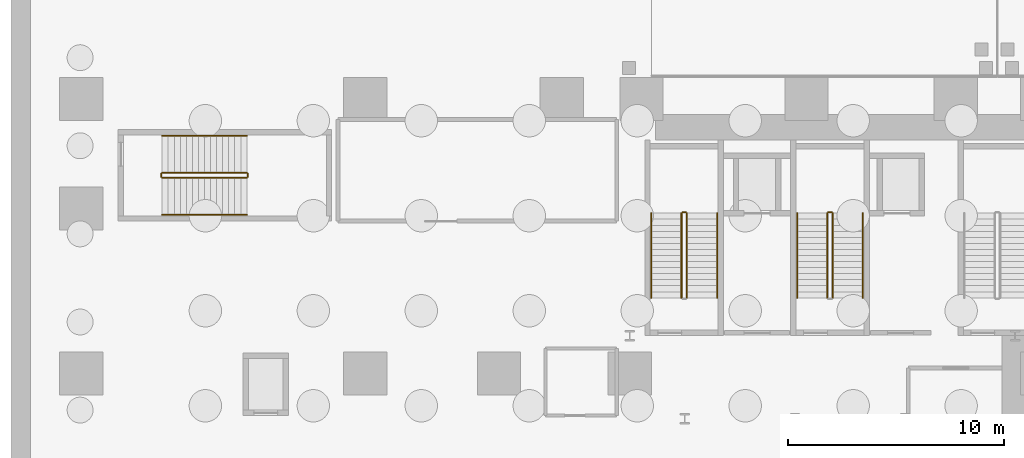
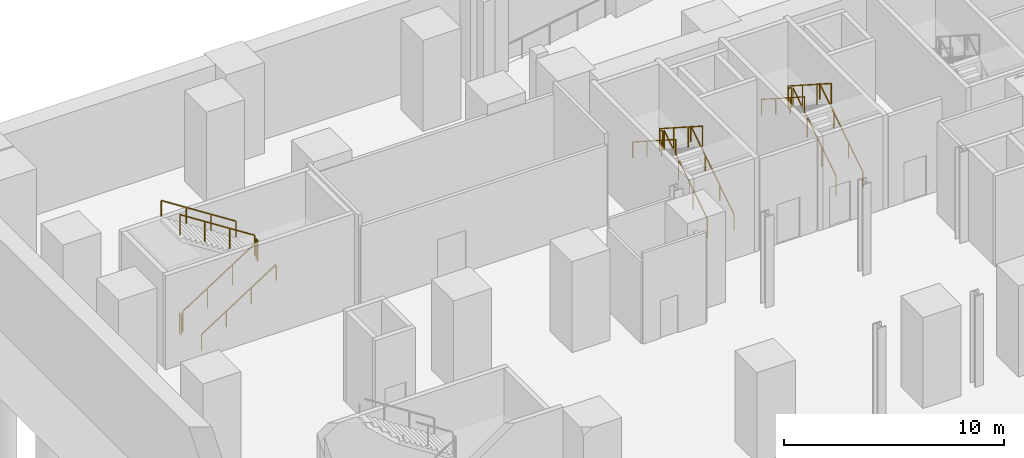
# One storey, part 10 of 14: 16 railings.
"""IFC4 building model written with IfcOpenShell, lengths in metres."""

from ifc_helpers import new_model, si_unit, direction, frame, origin, origin_2d, place, context, subcontext, project, spatial, rectangle, extrude, source, transform, mapped, material, type_object, element, save


model = new_model("IFC4")

# Units and contexts
model_context = context("Model", 3, precision=1e-05, world=origin(), true_north=direction((0.0, 1.0)))
body_context = subcontext(model_context, "Body", "Model", "MODEL_VIEW")
ifc_project = project(units=[si_unit("LENGTHUNIT", "METRE"), si_unit("AREAUNIT", "SQUARE_METRE"), si_unit("VOLUMEUNIT", "CUBIC_METRE"), si_unit("PLANEANGLEUNIT", "RADIAN"), si_unit("MASSUNIT", "GRAM", prefix="KILO")], contexts=[model_context])

# Site, building, storey
site_placement = place(None, origin())
site = spatial("IfcSite", under=ifc_project, at=site_placement, CompositionType="ELEMENT")
building_placement = place(site_placement, origin())
building = spatial("IfcBuilding", under=site, at=building_placement, Name="Vardaveli Station Tower", CompositionType="ELEMENT")
storey_placement = place(building_placement, frame((0.0, 0.0, -11.39990234375)))
storey = spatial("IfcBuildingStorey", under=building, at=storey_placement, Name="B02", CompositionType="ELEMENT", Elevation=-11.39990234375)

# Railings
ifc_material = material(Name="Brushed AISI 316 stainless steel", Category="steel")
railing_type_1 = type_object("IfcRailingType", Name="RL-GUARD-1150", PredefinedType="GUARDRAIL", material=ifc_material)
shared_shape_1 = source(origin(), body_context, "Body", "SweptSolid", [
    extrude(rectangle(XDim=0.048095703125, YDim=0.048095703125, at=origin_2d()), frame((0.0, 0.0, 1.1259765625), z_axis=(0.0, 0.841186985886, 0.540744352514), x_axis=(-1.0, 0.0, 0.0)), (0.0, 0.0, 1.0), 4.660400390625),
    extrude(rectangle(XDim=0.0419921875, YDim=0.0419921875, at=origin_2d()), origin(), (0.0, 0.0, 1.0), 1.101806640625),
    extrude(rectangle(XDim=0.0419921875, YDim=0.0419921875, at=origin_2d()), frame((0.0, 1.306640625, 0.840087890625)), (0.0, 0.0, 1.0), 1.101806640625),
    extrude(rectangle(XDim=0.0419921875, YDim=0.0419921875, at=origin_2d()), frame((0.0, 2.613525390625, 1.679931640625)), (0.0, 0.0, 1.0), 1.101806640625),
    extrude(rectangle(XDim=0.0419921875, YDim=0.0419921875, at=origin_2d()), frame((0.0, 3.920166015625, 2.52001953125)), (0.0, 0.0, 1.0), 1.101806640625),
])
for number, where, name in (
    (1, (31.300048828125, 32.39990234375, 0.179931640625), "B02 ST-1 stair guard 1"),
    (2, (38.050048828125, 32.39990234375, 0.179931640625), "B02 ST-2 stair guard 1"),
):
    element("IfcRailing", number, at=place(storey_placement, frame(where)), inside=storey, type_object=railing_type_1, Name=name, PredefinedType="GUARDRAIL", context=body_context, shape_type="MappedRepresentation", body=[
        mapped(shared_shape_1, transform((0.0, 0.0, 0.0), scale=1.0)),
    ])
shared_shape_2 = source(origin(), body_context, "Body", "SweptSolid", [
    extrude(rectangle(XDim=0.048095703125, YDim=0.048095703125, at=origin_2d()), frame((0.0, 0.0, 1.1259765625), z_axis=(-1.0, 0.0, 0.0), x_axis=(0.0, -1.0, 0.0)), (0.0, 0.0, 1.0), 0.14990234375),
    extrude(rectangle(XDim=0.0419921875, YDim=0.0419921875, at=origin_2d()), origin(), (0.0, 0.0, 1.0), 1.101806640625),
    extrude(rectangle(XDim=0.0419921875, YDim=0.0419921875, at=origin_2d()), frame((-0.14990234375, 0.0, 0.0)), (0.0, 0.0, 1.0), 1.101806640625),
])
for number, where, name in (
    (3, (31.25, 36.3701171875, 2.699951171875), "B02 ST-1 stair guard 2"),
    (4, (38.0, 36.3701171875, 2.699951171875), "B02 ST-2 stair guard 2"),
):
    element("IfcRailing", number, at=place(storey_placement, frame(where)), inside=storey, type_object=railing_type_1, Name=name, PredefinedType="GUARDRAIL", context=body_context, shape_type="MappedRepresentation", body=[
        mapped(shared_shape_2, transform((0.0, 0.0, 0.0), scale=1.0)),
    ])
shared_shape_3 = source(origin(), body_context, "Body", "SweptSolid", [
    extrude(rectangle(XDim=0.048095703125, YDim=0.048095703125, at=origin_2d()), frame((0.0, 0.0, 1.1259765625), z_axis=(0.0, -0.841186985886, 0.540744352514), x_axis=(1.0, 0.0, 0.0)), (0.0, 0.0, 1.0), 4.660400390625),
    extrude(rectangle(XDim=0.0419921875, YDim=0.0419921875, at=origin_2d()), origin(), (0.0, 0.0, 1.0), 1.101806640625),
    extrude(rectangle(XDim=0.0419921875, YDim=0.0419921875, at=origin_2d()), frame((0.0, -1.306640625, 0.840087890625)), (0.0, 0.0, 1.0), 1.101806640625),
    extrude(rectangle(XDim=0.0419921875, YDim=0.0419921875, at=origin_2d()), frame((0.0, -2.613525390625, 1.679931640625)), (0.0, 0.0, 1.0), 1.101806640625),
    extrude(rectangle(XDim=0.0419921875, YDim=0.0419921875, at=origin_2d()), frame((0.0, -3.920166015625, 2.52001953125)), (0.0, 0.0, 1.0), 1.101806640625),
])
for number, where, name in (
    (5, (31.050048828125, 36.320068359375, 2.8798828125), "B02 ST-1 stair guard 3"),
    (6, (37.800048828125, 36.320068359375, 2.8798828125), "B02 ST-2 stair guard 3"),
):
    element("IfcRailing", number, at=place(storey_placement, frame(where)), inside=storey, type_object=railing_type_1, Name=name, PredefinedType="GUARDRAIL", context=body_context, shape_type="MappedRepresentation", body=[
        mapped(shared_shape_3, transform((0.0, 0.0, 0.0), scale=1.0)),
    ])
railing_type_2 = type_object("IfcRailingType", Name="RL-HAND-900", PredefinedType="HANDRAIL", material=ifc_material)
shared_shape_4 = source(origin(), body_context, "Body", "SweptSolid", [
    extrude(rectangle(XDim=0.048095703125, YDim=0.048095703125, at=origin_2d()), frame((0.0, 0.0, 0.8759765625), z_axis=(0.0, 0.841186985886, 0.540744352514), x_axis=(-1.0, 0.0, 0.0)), (0.0, 0.0, 1.0), 4.660400390625),
    extrude(rectangle(XDim=0.0419921875, YDim=0.0419921875, at=origin_2d()), origin(), (0.0, 0.0, 1.0), 0.851806640625),
    extrude(rectangle(XDim=0.0419921875, YDim=0.0419921875, at=origin_2d()), frame((0.0, 1.306640625, 0.840087890625)), (0.0, 0.0, 1.0), 0.851806640625),
    extrude(rectangle(XDim=0.0419921875, YDim=0.0419921875, at=origin_2d()), frame((0.0, 2.613525390625, 1.679931640625)), (0.0, 0.0, 1.0), 0.851806640625),
    extrude(rectangle(XDim=0.0419921875, YDim=0.0419921875, at=origin_2d()), frame((0.0, 3.920166015625, 2.52001953125)), (0.0, 0.0, 1.0), 0.851806640625),
])
for number, where, name in (
    (7, (32.699951171875, 32.39990234375, 0.179931640625), "B02 ST-1 stair handrail 1"),
    (8, (39.449951171875, 32.39990234375, 0.179931640625), "B02 ST-2 stair handrail 1"),
):
    element("IfcRailing", number, at=place(storey_placement, frame(where)), inside=storey, type_object=railing_type_2, Name=name, PredefinedType="HANDRAIL", context=body_context, shape_type="MappedRepresentation", body=[
        mapped(shared_shape_4, transform((0.0, 0.0, 0.0), scale=1.0)),
    ])
shared_shape_5 = source(origin(), body_context, "Body", "SweptSolid", [
    extrude(rectangle(XDim=0.048095703125, YDim=0.048095703125, at=origin_2d()), frame((0.0, 0.0, 0.8759765625), z_axis=(0.0, -0.841186985886, 0.540744352514), x_axis=(1.0, 0.0, 0.0)), (0.0, 0.0, 1.0), 4.660400390625),
    extrude(rectangle(XDim=0.0419921875, YDim=0.0419921875, at=origin_2d()), origin(), (0.0, 0.0, 1.0), 0.851806640625),
    extrude(rectangle(XDim=0.0419921875, YDim=0.0419921875, at=origin_2d()), frame((0.0, -1.306640625, 0.840087890625)), (0.0, 0.0, 1.0), 0.851806640625),
    extrude(rectangle(XDim=0.0419921875, YDim=0.0419921875, at=origin_2d()), frame((0.0, -2.613525390625, 1.679931640625)), (0.0, 0.0, 1.0), 0.851806640625),
    extrude(rectangle(XDim=0.0419921875, YDim=0.0419921875, at=origin_2d()), frame((0.0, -3.920166015625, 2.52001953125)), (0.0, 0.0, 1.0), 0.851806640625),
])
for number, where, name in (
    (9, (29.64990234375, 36.320068359375, 2.8798828125), "B02 ST-1 stair handrail 2"),
    (10, (36.39990234375, 36.320068359375, 2.8798828125), "B02 ST-2 stair handrail 2"),
):
    element("IfcRailing", number, at=place(storey_placement, frame(where)), inside=storey, type_object=railing_type_2, Name=name, PredefinedType="HANDRAIL", context=body_context, shape_type="MappedRepresentation", body=[
        mapped(shared_shape_5, transform((0.0, 0.0, 0.0), scale=1.0)),
    ])
shared_shape_6 = source(origin(), body_context, "Body", "SweptSolid", [
    extrude(rectangle(XDim=0.048095703125, YDim=0.048095703125, at=origin_2d()), frame((0.0, 0.0, 1.1259765625), z_axis=(0.841171666519, 0.0, 0.540768182723), x_axis=(0.0, 1.0, 0.0)), (0.0, 0.0, 1.0), 4.66015625),
    extrude(rectangle(XDim=0.0419921875, YDim=0.0419921875, at=origin_2d()), origin(), (0.0, 0.0, 1.0), 1.101806640625),
    extrude(rectangle(XDim=0.0419921875, YDim=0.0419921875, at=origin_2d()), frame((1.306640625, 0.0, 0.840087890625)), (0.0, 0.0, 1.0), 1.101806640625),
    extrude(rectangle(XDim=0.0419921875, YDim=0.0419921875, at=origin_2d()), frame((2.61328125, 0.0, 1.679931640625)), (0.0, 0.0, 1.0), 1.101806640625),
    extrude(rectangle(XDim=0.0419921875, YDim=0.0419921875, at=origin_2d()), frame((3.919921875, 0.0, 2.52001953125)), (0.0, 0.0, 1.0), 1.101806640625),
])
railing_1_placement = place(storey_placement, frame((7.0, 37.949951171875, 0.179931640625)))
element("IfcRailing", 11, at=railing_1_placement, inside=storey, type_object=railing_type_1, Name="B02 ST-P1 stair guard 1", PredefinedType="GUARDRAIL", context=body_context, shape_type="MappedRepresentation", body=[
    mapped(shared_shape_6, transform((0.0, 0.0, 0.0), scale=1.0)),
])
shared_shape_7 = source(origin(), body_context, "Body", "SweptSolid", [
    extrude(rectangle(XDim=0.048095703125, YDim=0.048095703125, at=origin_2d()), frame((0.0, 0.0, 1.1259765625), z_axis=(0.0, 1.0, 0.0), x_axis=(-1.0, 0.0, 0.0)), (0.0, 0.0, 1.0), 0.14990234375),
    extrude(rectangle(XDim=0.0419921875, YDim=0.0419921875, at=origin_2d()), origin(), (0.0, 0.0, 1.0), 1.101806640625),
    extrude(rectangle(XDim=0.0419921875, YDim=0.0419921875, at=origin_2d()), frame((0.0, 0.14990234375, 0.0)), (0.0, 0.0, 1.0), 1.101806640625),
])
for number, where, name in (
    (12, (10.969970703125, 38.0, 2.699951171875), "B02 ST-P1 stair guard 2"),
    (13, (6.949951171875, 38.0, 0.0), "B02 ST-P1 stair guard 4"),
):
    element("IfcRailing", number, at=place(storey_placement, frame(where)), inside=storey, type_object=railing_type_1, Name=name, PredefinedType="GUARDRAIL", context=body_context, shape_type="MappedRepresentation", body=[
        mapped(shared_shape_7, transform((0.0, 0.0, 0.0), scale=1.0)),
    ])
shared_shape_8 = source(origin(), body_context, "Body", "SweptSolid", [
    extrude(rectangle(XDim=0.048095703125, YDim=0.048095703125, at=origin_2d()), frame((0.0, 0.0, 1.1259765625), z_axis=(-0.841171666519, 0.0, 0.540768182723), x_axis=(0.0, -1.0, 0.0)), (0.0, 0.0, 1.0), 4.66015625),
    extrude(rectangle(XDim=0.0419921875, YDim=0.0419921875, at=origin_2d()), origin(), (0.0, 0.0, 1.0), 1.101806640625),
    extrude(rectangle(XDim=0.0419921875, YDim=0.0419921875, at=origin_2d()), frame((-1.306640625, 0.0, 0.840087890625)), (0.0, 0.0, 1.0), 1.101806640625),
    extrude(rectangle(XDim=0.0419921875, YDim=0.0419921875, at=origin_2d()), frame((-2.61328125, 0.0, 1.679931640625)), (0.0, 0.0, 1.0), 1.101806640625),
    extrude(rectangle(XDim=0.0419921875, YDim=0.0419921875, at=origin_2d()), frame((-3.919921875, 0.0, 2.52001953125)), (0.0, 0.0, 1.0), 1.101806640625),
])
railing_2_placement = place(storey_placement, frame((10.919921875, 38.199951171875, 2.8798828125)))
element("IfcRailing", 14, at=railing_2_placement, inside=storey, type_object=railing_type_1, Name="B02 ST-P1 stair guard 3", PredefinedType="GUARDRAIL", context=body_context, shape_type="MappedRepresentation", body=[
    mapped(shared_shape_8, transform((0.0, 0.0, 0.0), scale=1.0)),
])
shared_shape_9 = source(origin(), body_context, "Body", "SweptSolid", [
    extrude(rectangle(XDim=0.048095703125, YDim=0.048095703125, at=origin_2d()), frame((0.0, 0.0, 0.8759765625), z_axis=(0.841171666519, 0.0, 0.540768182723), x_axis=(0.0, 1.0, 0.0)), (0.0, 0.0, 1.0), 4.66015625),
    extrude(rectangle(XDim=0.0419921875, YDim=0.0419921875, at=origin_2d()), origin(), (0.0, 0.0, 1.0), 0.851806640625),
    extrude(rectangle(XDim=0.0419921875, YDim=0.0419921875, at=origin_2d()), frame((1.306640625, 0.0, 0.840087890625)), (0.0, 0.0, 1.0), 0.851806640625),
    extrude(rectangle(XDim=0.0419921875, YDim=0.0419921875, at=origin_2d()), frame((2.61328125, 0.0, 1.679931640625)), (0.0, 0.0, 1.0), 0.851806640625),
    extrude(rectangle(XDim=0.0419921875, YDim=0.0419921875, at=origin_2d()), frame((3.919921875, 0.0, 2.52001953125)), (0.0, 0.0, 1.0), 0.851806640625),
])
railing_3_placement = place(storey_placement, frame((7.0, 36.25, 0.179931640625)))
element("IfcRailing", 15, at=railing_3_placement, inside=storey, type_object=railing_type_2, Name="B02 ST-P1 stair handrail 1", PredefinedType="HANDRAIL", context=body_context, shape_type="MappedRepresentation", body=[
    mapped(shared_shape_9, transform((0.0, 0.0, 0.0), scale=1.0)),
])
shared_shape_10 = source(origin(), body_context, "Body", "SweptSolid", [
    extrude(rectangle(XDim=0.048095703125, YDim=0.048095703125, at=origin_2d()), frame((0.0, 0.0, 0.8759765625), z_axis=(-0.841171666519, 0.0, 0.540768182723), x_axis=(0.0, -1.0, 0.0)), (0.0, 0.0, 1.0), 4.66015625),
    extrude(rectangle(XDim=0.0419921875, YDim=0.0419921875, at=origin_2d()), origin(), (0.0, 0.0, 1.0), 0.851806640625),
    extrude(rectangle(XDim=0.0419921875, YDim=0.0419921875, at=origin_2d()), frame((-1.306640625, 0.0, 0.840087890625)), (0.0, 0.0, 1.0), 0.851806640625),
    extrude(rectangle(XDim=0.0419921875, YDim=0.0419921875, at=origin_2d()), frame((-2.61328125, 0.0, 1.679931640625)), (0.0, 0.0, 1.0), 0.851806640625),
    extrude(rectangle(XDim=0.0419921875, YDim=0.0419921875, at=origin_2d()), frame((-3.919921875, 0.0, 2.52001953125)), (0.0, 0.0, 1.0), 0.851806640625),
])
railing_4_placement = place(storey_placement, frame((10.919921875, 39.89990234375, 2.8798828125)))
element("IfcRailing", 16, at=railing_4_placement, inside=storey, type_object=railing_type_2, Name="B02 ST-P1 stair handrail 2", PredefinedType="HANDRAIL", context=body_context, shape_type="MappedRepresentation", body=[
    mapped(shared_shape_10, transform((0.0, 0.0, 0.0), scale=1.0)),
])

save(model, "model.ifc")
